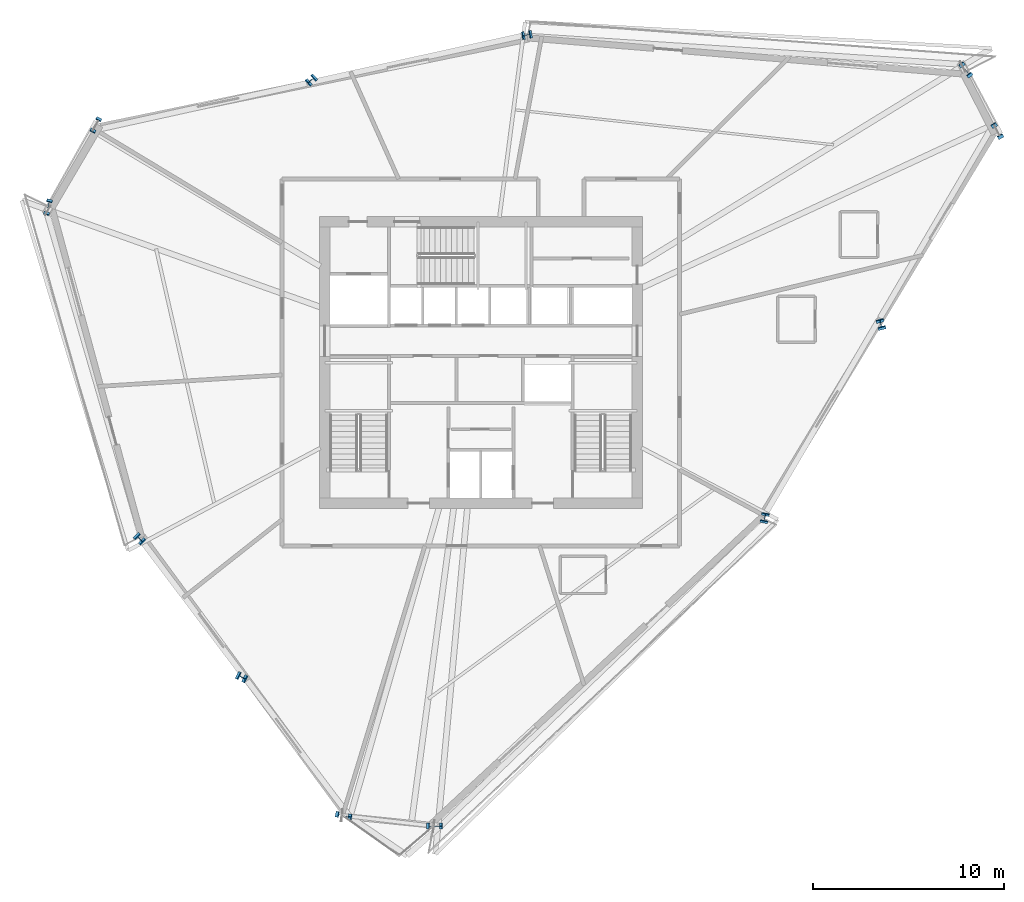
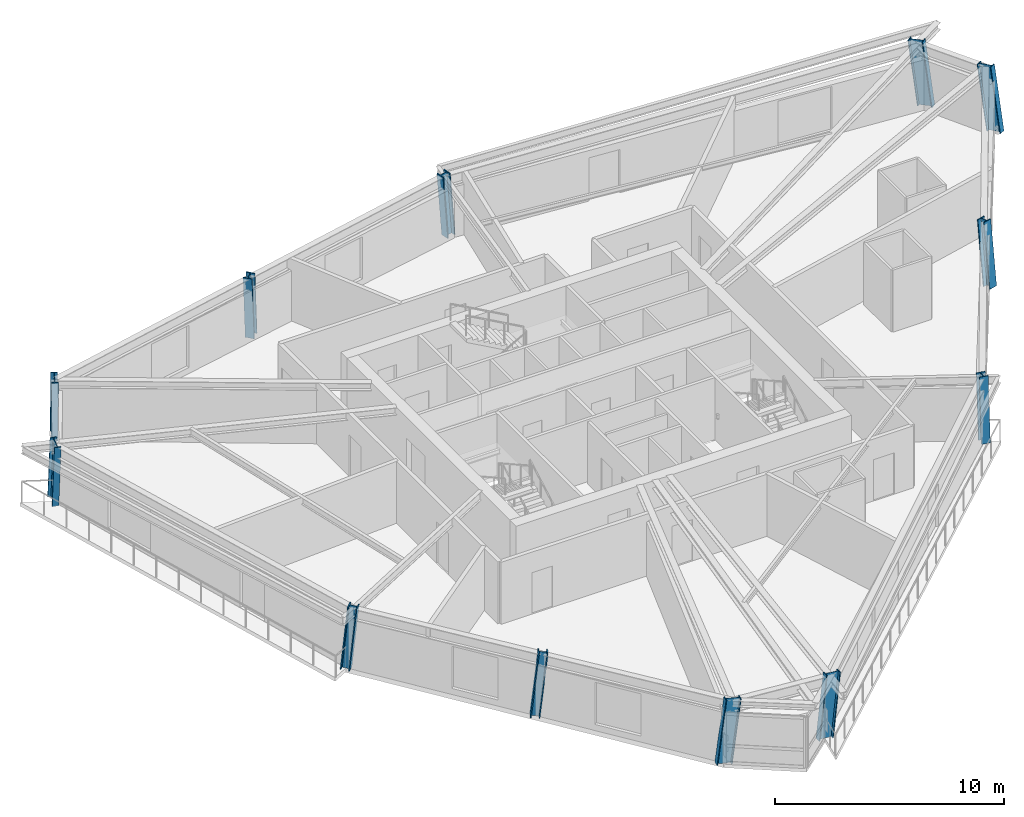
# One storey, part 1 of 15: 12 columns.
"""IFC4 building model written with IfcOpenShell, lengths in metres."""

from ifc_helpers import new_model, si_unit, direction, frame, origin, origin_2d, place, context, subcontext, project, spatial, i_section, extrude, source, transform, mapped, material, material_profile, profile_set, type_object, element, save


model = new_model("IFC4")

# Units and contexts
model_context = context("Model", 3, precision=1e-05, world=origin(), true_north=direction((0.0, 1.0)))
body_context = subcontext(model_context, "Body", "Model", "MODEL_VIEW")
ifc_project = project(units=[si_unit("LENGTHUNIT", "METRE"), si_unit("AREAUNIT", "SQUARE_METRE"), si_unit("VOLUMEUNIT", "CUBIC_METRE"), si_unit("PLANEANGLEUNIT", "RADIAN"), si_unit("MASSUNIT", "GRAM", prefix="KILO")], contexts=[model_context])

# Site, building, storey
site_placement = place(None, origin())
site = spatial("IfcSite", under=ifc_project, at=site_placement, CompositionType="ELEMENT")
building_placement = place(site_placement, origin())
building = spatial("IfcBuilding", under=site, at=building_placement, Name="Olszyna Solenne Hotel", CompositionType="ELEMENT")
storey_placement = place(building_placement, frame((0.0, 0.0, 146.60009765625)))
storey = spatial("IfcBuildingStorey", under=building, at=storey_placement, Name="L38", CompositionType="ELEMENT", Elevation=146.60009765625)

# Columns
ifc_material = material(Name="Steel S460M", Category="steel")
ifc_material_profile_1 = material_profile(ifc_material, i_section(OverallWidth=0.303955078125, OverallDepth=0.716064453125, WebThickness=0.02099609375, FlangeThickness=0.0400390625, at=origin_2d()), Name="HEM 700", Category="load-bearing")
ifc_profile_set_1 = profile_set([ifc_material_profile_1], Name="Steel S460M")
column_type_1 = type_object("IfcColumnType", Name="COL-K2", PredefinedType="COLUMN", material=ifc_profile_set_1)
shared_shape_1 = source(origin(), body_context, "Body", "SweptSolid", [
    extrude(i_section(OverallWidth=0.303955078125, OverallDepth=0.716064453125, WebThickness=0.02099609375, FlangeThickness=0.0400390625, at=origin_2d()), origin(), (0.0, 0.0, 1.0), 3.404541015625),
])
column_1_placement = place(storey_placement, frame((35.515625, 2.343505859375, 0.0), z_axis=(0.107062289558, -0.000286838016, 0.994252273761), x_axis=(0.002679159842, 0.999996411045, 0.0)))
element("IfcColumn", 1, at=column_1_placement, inside=storey, type_object=column_type_1, Name="Perimeter framed-tube column COL-K2 C-L38-10", PredefinedType="COLUMN", context=body_context, shape_type="MappedRepresentation", body=[
    mapped(shared_shape_1, transform((0.0, 0.0, 0.0), x_axis=(1.0, 0.0, 0.0), y_axis=(0.0, 1.0, 0.0), z_axis=(0.0, 0.0, 1.0), scale=1.0)),
])
shared_shape_2 = source(origin(), body_context, "Body", "SweptSolid", [
    extrude(i_section(OverallWidth=0.303955078125, OverallDepth=0.716064453125, WebThickness=0.02099609375, FlangeThickness=0.0400390625, at=origin_2d()), origin(), (0.0, 0.0, 1.0), 3.407958984375),
])
column_2_placement = place(storey_placement, frame((17.887939453125, 39.089599609375, 0.0), z_axis=(-0.0518677655, -0.103305687639, 0.993296365544), x_axis=(0.893682251955, -0.448700381703, 0.0)))
element("IfcColumn", 2, at=column_2_placement, inside=storey, type_object=column_type_1, Name="Perimeter framed-tube column COL-K2 C-L38-05", PredefinedType="COLUMN", context=body_context, shape_type="MappedRepresentation", body=[
    mapped(shared_shape_2, transform((0.0, 0.0, 0.0), x_axis=(1.0, 0.0, 0.0), y_axis=(0.0, 1.0, 0.0), z_axis=(0.0, 0.0, 1.0), scale=1.0)),
])
shared_shape_3 = source(origin(), body_context, "Body", "SweptSolid", [
    extrude(i_section(OverallWidth=0.303955078125, OverallDepth=0.716064453125, WebThickness=0.02099609375, FlangeThickness=0.0400390625, at=origin_2d()), origin(), (0.0, 0.0, 1.0), 3.41943359375),
])
column_3_placement = place(storey_placement, frame((65.0634765625, 38.63671875, 0.0), z_axis=(-0.070258016221, 0.122594526272, 0.989966864741), x_axis=(-0.867620537636, -0.497226912658, 0.0)))
element("IfcColumn", 3, at=column_3_placement, inside=storey, type_object=column_type_1, Name="Perimeter framed-tube column COL-K2 C-L38-01", PredefinedType="COLUMN", context=body_context, shape_type="MappedRepresentation", body=[
    mapped(shared_shape_3, transform((0.0, 0.0, 0.0), x_axis=(1.0, 0.0, 0.0), y_axis=(0.0, 1.0, 0.0), z_axis=(0.0, 0.0, 1.0), scale=1.0)),
])
shared_shape_4 = source(origin(), body_context, "Body", "SweptSolid", [
    extrude(i_section(OverallWidth=0.303955078125, OverallDepth=0.716064453125, WebThickness=0.02099609375, FlangeThickness=0.0400390625, at=origin_2d()), origin(), (0.0, 0.0, 1.0), 3.4150390625),
])
column_4_placement = place(storey_placement, frame((63.421875, 41.83740234375, 0.0), z_axis=(-0.079785459835, 0.105236735552, 0.991241398394), x_axis=(-0.796871005575, -0.604149485205, 0.0)))
element("IfcColumn", 4, at=column_4_placement, inside=storey, type_object=column_type_1, Name="Perimeter framed-tube column COL-K2 C-L38-02", PredefinedType="COLUMN", context=body_context, shape_type="MappedRepresentation", body=[
    mapped(shared_shape_4, transform((0.0, 0.0, 0.0), x_axis=(1.0, 0.0, 0.0), y_axis=(0.0, 1.0, 0.0), z_axis=(0.0, 0.0, 1.0), scale=1.0)),
])
ifc_material_profile_2 = material_profile(ifc_material, i_section(OverallWidth=0.412109375, OverallDepth=0.43505859375, WebThickness=0.031494140625, FlangeThickness=0.050048828125, at=origin_2d()), Name="HD 400x463", Category="load-bearing")
ifc_profile_set_2 = profile_set([ifc_material_profile_2], Name="Steel S460M")
column_type_2 = type_object("IfcColumnType", Name="COL-T3", PredefinedType="COLUMN", material=ifc_profile_set_2)
shared_shape_5 = source(origin(), body_context, "Body", "SweptSolid", [
    extrude(i_section(OverallWidth=0.412109375, OverallDepth=0.43505859375, WebThickness=0.031494140625, FlangeThickness=0.050048828125, at=origin_2d()), origin(), (0.0, 0.0, 1.0), 3.396240234375),
])
column_5_placement = place(storey_placement, frame((40.456787109375, 43.744384765625, 0.0), z_axis=(-0.080079410056, -0.01473633668, 0.996679551544), x_axis=(0.180982664864, -0.983486286137, 0.0)))
element("IfcColumn", 5, at=column_5_placement, inside=storey, type_object=column_type_2, Name="Perimeter framed-tube column COL-T3 C-L38-03", PredefinedType="COLUMN", context=body_context, shape_type="MappedRepresentation", body=[
    mapped(shared_shape_5, transform((0.0, 0.0, 0.0), x_axis=(1.0, 0.0, 0.0), y_axis=(0.0, 1.0, 0.0), z_axis=(0.0, 0.0, 1.0), scale=1.0)),
])
shared_shape_6 = source(origin(), body_context, "Body", "SweptSolid", [
    extrude(i_section(OverallWidth=0.412109375, OverallDepth=0.43505859375, WebThickness=0.031494140625, FlangeThickness=0.050048828125, at=origin_2d()), origin(), (0.0, 0.0, 1.0), 3.3984375),
])
column_6_placement = place(storey_placement, frame((29.17236328125, 41.4169921875, 0.0), z_axis=(-0.066021185682, -0.059124522107, 0.99606500487), x_axis=(0.667126517225, -0.74494443418, 0.0)))
element("IfcColumn", 6, at=column_6_placement, inside=storey, type_object=column_type_2, Name="Perimeter framed-tube column COL-T3 C-L38-04", PredefinedType="COLUMN", context=body_context, shape_type="MappedRepresentation", body=[
    mapped(shared_shape_6, transform((0.0, 0.0, 0.0), x_axis=(1.0, 0.0, 0.0), y_axis=(0.0, 1.0, 0.0), z_axis=(0.0, 0.0, 1.0), scale=1.0)),
])
shared_shape_7 = source(origin(), body_context, "Body", "SweptSolid", [
    extrude(i_section(OverallWidth=0.303955078125, OverallDepth=0.716064453125, WebThickness=0.02099609375, FlangeThickness=0.0400390625, at=origin_2d()), origin(), (0.0, 0.0, 1.0), 3.403564453125),
])
column_7_placement = place(storey_placement, frame((15.365234375, 34.789306640625, 0.0), z_axis=(-0.024245185019, -0.101356350391, 0.994554705001), x_axis=(0.972561966295, -0.232643980614, 0.0)))
element("IfcColumn", 7, at=column_7_placement, inside=storey, type_object=column_type_1, Name="Perimeter framed-tube column COL-K2 C-L38-06", PredefinedType="COLUMN", context=body_context, shape_type="MappedRepresentation", body=[
    mapped(shared_shape_7, transform((0.0, 0.0, 0.0), x_axis=(1.0, 0.0, 0.0), y_axis=(0.0, 1.0, 0.0), z_axis=(0.0, 0.0, 1.0), scale=1.0)),
])
shared_shape_8 = source(origin(), body_context, "Body", "SweptSolid", [
    extrude(i_section(OverallWidth=0.412109375, OverallDepth=0.43505859375, WebThickness=0.031494140625, FlangeThickness=0.050048828125, at=origin_2d()), origin(), (0.0, 0.0, 1.0), 3.401123046875),
])
column_8_placement = place(storey_placement, frame((20.094970703125, 17.41845703125, 0.0), z_axis=(0.067691864863, -0.069558236534, 0.995278585704), x_axis=(0.716655992996, 0.697426833225, 0.0)))
element("IfcColumn", 8, at=column_8_placement, inside=storey, type_object=column_type_2, Name="Perimeter framed-tube column COL-T3 C-L38-07", PredefinedType="COLUMN", context=body_context, shape_type="MappedRepresentation", body=[
    mapped(shared_shape_8, transform((0.0, 0.0, 0.0), x_axis=(1.0, 0.0, 0.0), y_axis=(0.0, 1.0, 0.0), z_axis=(0.0, 0.0, 1.0), scale=1.0)),
])
shared_shape_9 = source(origin(), body_context, "Body", "SweptSolid", [
    extrude(i_section(OverallWidth=0.412109375, OverallDepth=0.43505859375, WebThickness=0.031494140625, FlangeThickness=0.050048828125, at=origin_2d()), origin(), (0.0, 0.0, 1.0), 3.403564453125),
])
column_9_placement = place(storey_placement, frame((25.42041015625, 10.160888671875, 0.0), z_axis=(0.093605825335, -0.046623591163, 0.994517063811), x_axis=(0.445841250264, 0.895112048608, 0.0)))
element("IfcColumn", 9, at=column_9_placement, inside=storey, type_object=column_type_2, Name="Perimeter framed-tube column COL-T3 C-L38-08", PredefinedType="COLUMN", context=body_context, shape_type="MappedRepresentation", body=[
    mapped(shared_shape_9, transform((0.0, 0.0, 0.0), x_axis=(1.0, 0.0, 0.0), y_axis=(0.0, 1.0, 0.0), z_axis=(0.0, 0.0, 1.0), scale=1.0)),
])
shared_shape_10 = source(origin(), body_context, "Body", "SweptSolid", [
    extrude(i_section(OverallWidth=0.303955078125, OverallDepth=0.716064453125, WebThickness=0.02099609375, FlangeThickness=0.0400390625, at=origin_2d()), origin(), (0.0, 0.0, 1.0), 3.410400390625),
])
column_10_placement = place(storey_placement, frame((30.74609375, 2.90380859375, 0.0), z_axis=(0.119337187933, -0.023838802389, 0.992567552904), x_axis=(0.195889876884, 0.980625900196, 0.0)))
element("IfcColumn", 10, at=column_10_placement, inside=storey, type_object=column_type_1, Name="Perimeter framed-tube column COL-K2 C-L38-09", PredefinedType="COLUMN", context=body_context, shape_type="MappedRepresentation", body=[
    mapped(shared_shape_10, transform((0.0, 0.0, 0.0), x_axis=(1.0, 0.0, 0.0), y_axis=(0.0, 1.0, 0.0), z_axis=(0.0, 0.0, 1.0), scale=1.0)),
])
shared_shape_11 = source(origin(), body_context, "Body", "SweptSolid", [
    extrude(i_section(OverallWidth=0.412109375, OverallDepth=0.43505859375, WebThickness=0.031494140625, FlangeThickness=0.050048828125, at=origin_2d()), origin(), (0.0, 0.0, 1.0), 3.39697265625),
])
column_11_placement = place(storey_placement, frame((52.838623046875, 18.414794921875, 0.0), z_axis=(0.016098414869, 0.082648112052, 0.996448759652), x_axis=(-0.981553147676, 0.191189482678, 0.0)))
element("IfcColumn", 11, at=column_11_placement, inside=storey, type_object=column_type_2, Name="Perimeter framed-tube column COL-T3 C-L38-11", PredefinedType="COLUMN", context=body_context, shape_type="MappedRepresentation", body=[
    mapped(shared_shape_11, transform((0.0, 0.0, 0.0), x_axis=(1.0, 0.0, 0.0), y_axis=(0.0, 1.0, 0.0), z_axis=(0.0, 0.0, 1.0), scale=1.0)),
])
shared_shape_12 = source(origin(), body_context, "Body", "SweptSolid", [
    extrude(i_section(OverallWidth=0.412109375, OverallDepth=0.43505859375, WebThickness=0.031494140625, FlangeThickness=0.050048828125, at=origin_2d()), origin(), (0.0, 0.0, 1.0), 3.404296875),
])
column_12_placement = place(storey_placement, frame((58.951171875, 28.525634765625, 0.0), z_axis=(-0.027251595149, 0.102838914326, 0.994324649328), x_axis=(-0.966636531307, -0.256151939956, 0.0)))
element("IfcColumn", 12, at=column_12_placement, inside=storey, type_object=column_type_2, Name="Perimeter framed-tube column COL-T3 C-L38-12", PredefinedType="COLUMN", context=body_context, shape_type="MappedRepresentation", body=[
    mapped(shared_shape_12, transform((0.0, 0.0, 0.0), x_axis=(1.0, 0.0, 0.0), y_axis=(0.0, 1.0, 0.0), z_axis=(0.0, 0.0, 1.0), scale=1.0)),
])

save(model, "model.ifc")
